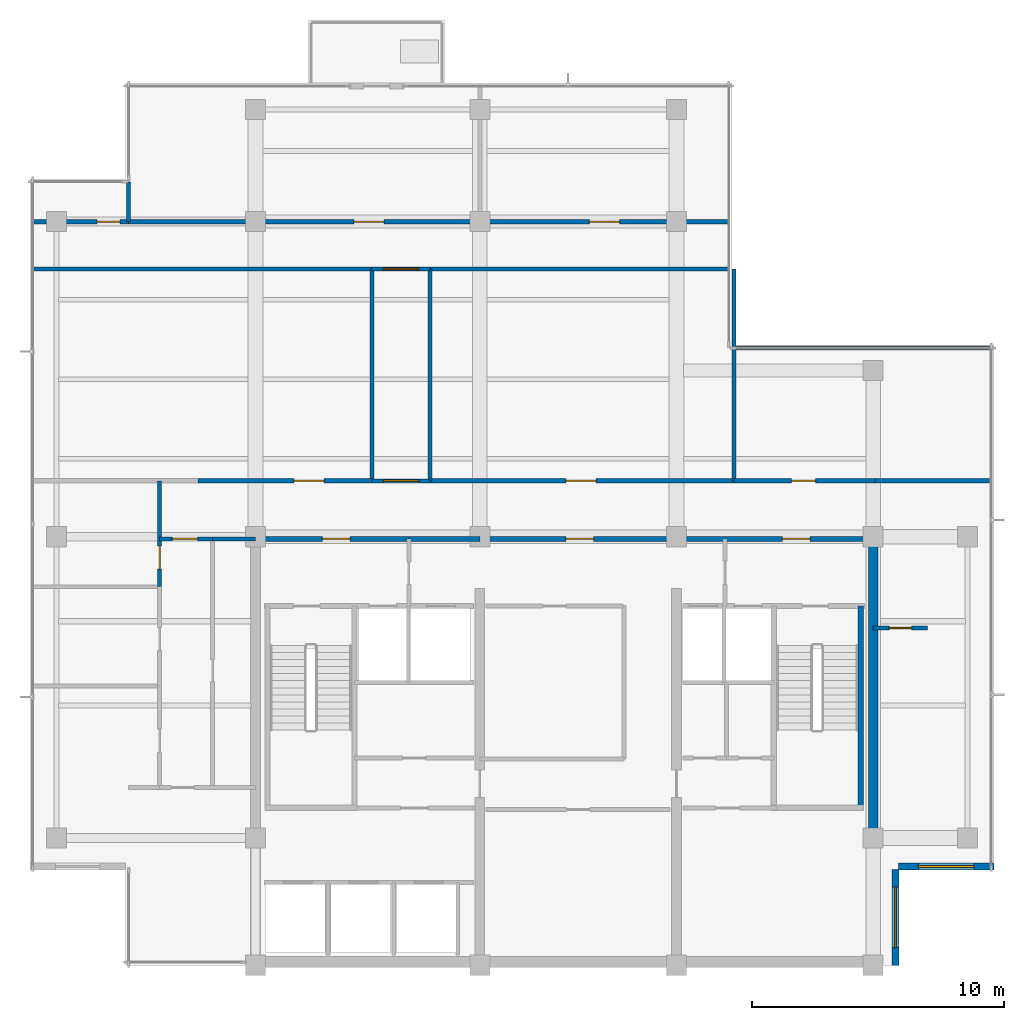
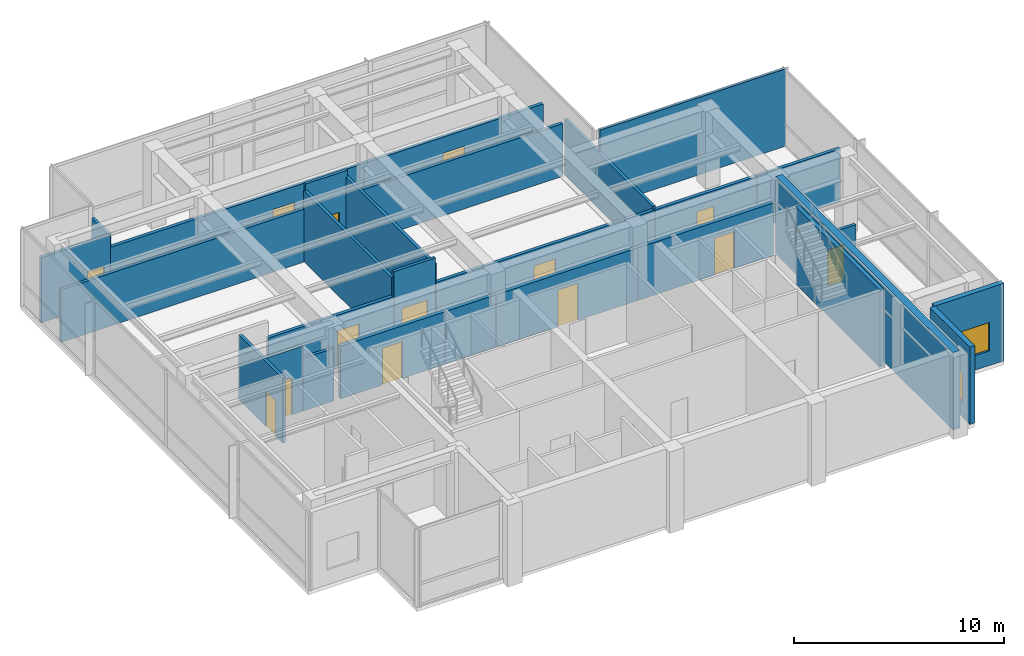
# One storey, part 7 of 11: 28 walls, 14 doors, 2 windows, 16 openings.
"""IFC4 building model written with IfcOpenShell, lengths in metres."""

from ifc_helpers import new_model, si_unit, direction, frame, frame_2d, origin, place, context, subcontext, project, spatial, rectangle, extrude, material, layer, layer_set, type_object, element, fill, save


model = new_model("IFC4")

# Units and contexts
model_context = context("Model", 3, precision=1e-05, world=origin(), true_north=direction((0.0, 1.0)))
body_context = subcontext(model_context, "Body", "Model", "MODEL_VIEW")
ifc_project = project(units=[si_unit("LENGTHUNIT", "METRE"), si_unit("AREAUNIT", "SQUARE_METRE"), si_unit("VOLUMEUNIT", "CUBIC_METRE"), si_unit("PLANEANGLEUNIT", "RADIAN"), si_unit("MASSUNIT", "GRAM", prefix="KILO")], contexts=[model_context])

# Site, building, storey
site_placement = place(None, origin())
site = spatial("IfcSite", under=ifc_project, at=site_placement, CompositionType="ELEMENT")
building_placement = place(site_placement, origin())
building = spatial("IfcBuilding", under=site, at=building_placement, Name="Qalmaran Belvedere Hotel", CompositionType="ELEMENT")
storey_placement = place(building_placement, frame((0.0, 0.0, 293.89990234375)))
storey = spatial("IfcBuildingStorey", under=building, at=storey_placement, Name="L76", CompositionType="ELEMENT", Elevation=293.89990234375)

# Wall
ifc_material_1 = material(Name="Concrete C50/60", Category="concrete")
ifc_layer_1 = layer(ifc_material_1, 0.3798828125, Name="Concrete C50/60")
ifc_layer_set_1 = layer_set([ifc_layer_1], Name="Concrete C50/60")
wall_type_1 = type_object("IfcWallType", Name="WL-CORE-380-C50", PredefinedType="SHEAR", material=ifc_layer_set_1)
wall_1_placement = place(storey_placement, frame((44.800048828125, 3.5, 0.0), z_axis=(0.0, 0.0, 1.0), x_axis=(0.0, 1.0, 0.0)))
element("IfcWall", 1, at=wall_1_placement, inside=storey, type_object=wall_type_1, Name="L76 East Core Shear Wall", PredefinedType="SHEAR", context=body_context, shape_type="SweptSolid", body=[
    extrude(rectangle(XDim=16.89990234375, YDim=0.3798828125, at=frame_2d((8.449951171875, 0.0))), origin(), (0.0, 0.0, 1.0), 4.5),
])

# Wall, opening, window
ifc_material_2 = material(Name="Anodised Bronze Cladding")
ifc_layer_2 = layer(ifc_material_2, 0.280029296875, Name="Anodised Bronze Cladding")
ifc_layer_set_2 = layer_set([ifc_layer_2], Name="Anodised Bronze Cladding")
wall_type_2 = type_object("IfcWallType", Name="WL-EXT-BRNZ-280", PredefinedType="SOLIDWALL", material=ifc_layer_set_2)
wall_2_placement = place(storey_placement, frame((45.679931640625, 3.5, 0.0), z_axis=(0.0, 0.0, 1.0), x_axis=(0.0, 1.0, 0.0)))
wall_2 = element("IfcWall", 2, at=wall_2_placement, inside=storey, type_object=wall_type_2, Name="L76 Corner Notch Wall 1", PredefinedType="SOLIDWALL", context=body_context, shape_type="SweptSolid", body=[
    extrude(rectangle(XDim=3.800048828125, YDim=0.280029296875, at=frame_2d((1.89990234375, 0.0))), origin(), (0.0, 0.0, 1.0), 4.5),
])
opening_1_placement = place(wall_2_placement, frame((0.699951171875, 0.0, 0.85009765625)))
opening_1 = element("IfcOpeningElement", 3, at=opening_1_placement, cuts=wall_2, Name="Opening W-N24", PredefinedType="OPENING", context=body_context, shape_type="SweptSolid", body=[
    extrude(rectangle(XDim=2.39990234375, YDim=1.64990234375, at=frame_2d((1.199951171875, 0.824951171875))), frame((0.0, 0.14990234375, 0.0), z_axis=(0.0, -1.0, 0.0), x_axis=(1.0, 0.0, 0.0)), (0.0, 0.0, 1.0), 0.300048828125),
])
ifc_material_3 = material(Name="Solar-Control Double Glazing", Category="glass")
window_type_1 = type_object("IfcWindowType", Name="WN-NTC-2400X1650", PartitioningType="SINGLE_PANEL", PredefinedType="WINDOW", material=ifc_material_3)
window_1_placement = place(opening_1_placement, origin())
window_1 = element("IfcWindow", 4, at=window_1_placement, inside=storey, type_object=window_type_1, Name="L76 Corner Notch Window 1", OverallHeight=1.64990234375, OverallWidth=2.39990234375, PartitioningType="SINGLE_PANEL", PredefinedType="WINDOW", context=body_context, shape_type="SweptSolid", body=[
    extrude(rectangle(XDim=2.39990234375, YDim=1.64990234375, at=frame_2d((1.199951171875, 0.824951171875))), frame((0.0, 0.030029296875, 0.0), z_axis=(0.0, -1.0, 0.0), x_axis=(1.0, 0.0, 0.0)), (0.0, 0.0, 1.0), 0.06005859375),
])
fill(opening_1, window_1)

wall_3_placement = place(storey_placement, frame((45.800048828125, 7.419921875, 0.0), z_axis=(0.0, 0.0, 1.0), x_axis=(1.0, 0.0, 0.0)))
wall_3 = element("IfcWall", 5, at=wall_3_placement, inside=storey, type_object=wall_type_2, Name="L76 Corner Notch Wall 2", PredefinedType="SOLIDWALL", context=body_context, shape_type="SweptSolid", body=[
    extrude(rectangle(XDim=3.800048828125, YDim=0.280029296875, at=frame_2d((1.89990234375, 0.0))), origin(), (0.0, 0.0, 1.0), 4.5),
])
opening_2_placement = place(wall_3_placement, frame((0.800048828125, 0.0, 0.85009765625)))
opening_2 = element("IfcOpeningElement", 6, at=opening_2_placement, cuts=wall_3, Name="Opening W-N22", PredefinedType="OPENING", context=body_context, shape_type="SweptSolid", body=[
    extrude(rectangle(XDim=2.199951171875, YDim=1.64990234375, at=frame_2d((1.10009765625, 0.824951171875))), frame((0.0, 0.14990234375, 0.0), z_axis=(0.0, -1.0, 0.0), x_axis=(1.0, 0.0, 0.0)), (0.0, 0.0, 1.0), 0.300048828125),
])
window_type_2 = type_object("IfcWindowType", Name="WN-NTC-2200X1650", PartitioningType="SINGLE_PANEL", PredefinedType="WINDOW", material=ifc_material_3)
window_2_placement = place(opening_2_placement, origin())
window_2 = element("IfcWindow", 7, at=window_2_placement, inside=storey, type_object=window_type_2, Name="L76 Corner Notch Window 2", OverallHeight=1.64990234375, OverallWidth=2.199951171875, PartitioningType="SINGLE_PANEL", PredefinedType="WINDOW", context=body_context, shape_type="SweptSolid", body=[
    extrude(rectangle(XDim=2.199951171875, YDim=1.64990234375, at=frame_2d((1.10009765625, 0.824951171875))), frame((0.0, 0.030029296875, 0.0), z_axis=(0.0, -1.0, 0.0), x_axis=(1.0, 0.0, 0.0)), (0.0, 0.0, 1.0), 0.06005859375),
])
fill(opening_2, window_2)

# Wall, opening, door
ifc_material_4 = material(Name="Gypsum Stud Partition")
ifc_layer_3 = layer(ifc_material_4, 0.159912109375, Name="Gypsum Stud Partition")
ifc_layer_set_3 = layer_set([ifc_layer_3], Name="Gypsum Stud Partition")
wall_type_3 = type_object("IfcWallType", Name="WL-INT-160-EI60", PredefinedType="PARTITIONING", material=ifc_layer_set_3)
wall_4_placement = place(storey_placement, frame((16.5, 18.52001953125, 0.0), z_axis=(0.0, 0.0, 1.0), x_axis=(0.0, 1.0, 0.0)))
wall_4 = element("IfcWall", 8, at=wall_4_placement, inside=storey, type_object=wall_type_3, Name="L76 Partition WL-L76-WCC3", PredefinedType="PARTITIONING", context=body_context, shape_type="SweptSolid", body=[
    extrude(rectangle(XDim=4.199951171875, YDim=0.159912109375, at=frame_2d((2.10009765625, 0.0))), origin(), (0.0, 0.0, 1.0), 3.7900390625),
])
opening_3_placement = place(wall_4_placement, frame((0.693359375, 0.0, 0.0)))
opening_3 = element("IfcOpeningElement", 9, at=opening_3_placement, cuts=wall_4, Name="Opening FD60S1", PredefinedType="OPENING", context=body_context, shape_type="SweptSolid", body=[
    extrude(rectangle(XDim=0.919921875, YDim=2.080078125, at=frame_2d((0.4599609375, 1.0400390625))), frame((0.0, 0.08984375, 0.0), z_axis=(0.0, -1.0, 0.0), x_axis=(1.0, 0.0, 0.0)), (0.0, 0.0, 1.0), 0.179931640625),
])
ifc_material_5 = material(Name="Engineered Oak Veneer")
door_type_1 = type_object("IfcDoorType", Name="DR-FD60S-920X2080", OperationType="NOTDEFINED", PredefinedType="DOOR", material=ifc_material_5)
door_1_placement = place(opening_3_placement, origin())
door_1 = element("IfcDoor", 10, at=door_1_placement, inside=storey, type_object=door_type_1, Name="L76 Accessible WC Door", OperationType="SINGLE_SWING_RIGHT", OverallHeight=2.080078125, OverallWidth=0.919921875, PredefinedType="DOOR", context=body_context, shape_type="SweptSolid", body=[
    extrude(rectangle(XDim=0.919921875, YDim=2.080078125, at=frame_2d((0.4599609375, 1.0400390625))), frame((0.0, 0.02490234375, 0.0), z_axis=(0.0, -1.0, 0.0), x_axis=(1.0, 0.0, 0.0)), (0.0, 0.0, 1.0), 0.050048828125),
])
fill(opening_3, door_1)

# Wall
wall_5_placement = place(storey_placement, frame((18.60009765625, 20.419921875, 0.0), z_axis=(0.0, 0.0, 1.0), x_axis=(1.0, 0.0, 0.0)))
element("IfcWall", 11, at=wall_5_placement, inside=storey, type_object=wall_type_3, Name="L76 Partition WL-L76-WCCEN", PredefinedType="PARTITIONING", context=body_context, shape_type="SweptSolid", body=[
    extrude(rectangle(XDim=1.699951171875, YDim=0.159912109375, at=frame_2d((0.85009765625, 0.0))), origin(), (0.0, 0.0, 1.0), 3.065185546875),
])

# Wall, opening, door
wall_6_placement = place(storey_placement, frame((16.5, 20.419921875, 0.0), z_axis=(0.0, 0.0, 1.0), x_axis=(1.0, 0.0, 0.0)))
wall_6 = element("IfcWall", 12, at=wall_6_placement, inside=storey, type_object=wall_type_3, Name="L76 Partition WL-L76-XCRW", PredefinedType="PARTITIONING", context=body_context, shape_type="SweptSolid", body=[
    extrude(rectangle(XDim=2.10009765625, YDim=0.159912109375, at=frame_2d((1.050048828125, 0.0))), origin(), (0.0, 0.0, 1.0), 3.7900390625),
])
opening_4_placement = place(wall_6_placement, frame((0.5, 0.0, 0.0)))
opening_4 = element("IfcOpeningElement", 13, at=opening_4_placement, cuts=wall_6, Name="Opening FD90B", PredefinedType="OPENING", context=body_context, shape_type="SweptSolid", body=[
    extrude(rectangle(XDim=1.0, YDim=2.14990234375, at=frame_2d((0.5, 1.074951171875))), frame((0.0, 0.08984375, 0.0), z_axis=(0.0, -1.0, 0.0), x_axis=(1.0, 0.0, 0.0)), (0.0, 0.0, 1.0), 0.179931640625),
])
ifc_material_6 = material(Name="Steel S355JR", Category="steel")
door_type_2 = type_object("IfcDoorType", Name="DR-FD90B-1000X2150", OperationType="NOTDEFINED", PredefinedType="DOOR", material=ifc_material_6)
door_2_placement = place(opening_4_placement, origin())
door_2 = element("IfcDoor", 14, at=door_2_placement, inside=storey, type_object=door_type_2, Name="L76 Restroom Corridor Door", OperationType="SINGLE_SWING_RIGHT", OverallHeight=2.14990234375, OverallWidth=1.0, PredefinedType="DOOR", context=body_context, shape_type="SweptSolid", body=[
    extrude(rectangle(XDim=1.0, YDim=2.14990234375, at=frame_2d((0.5, 1.074951171875))), frame((0.0, 0.02490234375, 0.0), z_axis=(0.0, -1.0, 0.0), x_axis=(1.0, 0.0, 0.0)), (0.0, 0.0, 1.0), 0.050048828125),
])
fill(opening_4, door_2)

wall_7_placement = place(storey_placement, frame((44.800048828125, 16.8798828125, 0.0), z_axis=(0.0, 0.0, 1.0), x_axis=(1.0, 0.0, 0.0)))
wall_7 = element("IfcWall", 15, at=wall_7_placement, inside=storey, type_object=wall_type_3, Name="L76 Partition WL-L76-ECE", PredefinedType="PARTITIONING", context=body_context, shape_type="SweptSolid", body=[
    extrude(rectangle(XDim=2.14990234375, YDim=0.159912109375, at=frame_2d((1.074951171875, 0.0))), origin(), (0.0, 0.0, 1.0), 3.065185546875),
])
opening_5_placement = place(wall_7_placement, frame((1.52978515625, 0.0, 0.0), z_axis=(0.0, 0.0, 1.0), x_axis=(-1.0, 0.0, 0.0)))
opening_5 = element("IfcOpeningElement", 16, at=opening_5_placement, cuts=wall_7, Name="Opening FD60B", PredefinedType="OPENING", context=body_context, shape_type="SweptSolid", body=[
    extrude(rectangle(XDim=0.8798828125, YDim=2.080078125, at=frame_2d((0.43994140625, 1.0400390625))), frame((0.0, 0.08984375, 0.0), z_axis=(0.0, -1.0, 0.0), x_axis=(1.0, 0.0, 0.0)), (0.0, 0.0, 1.0), 0.179931640625),
])
door_type_3 = type_object("IfcDoorType", Name="DR-FD60B-880X2080", OperationType="NOTDEFINED", PredefinedType="DOOR", material=ifc_material_6)
door_3_placement = place(opening_5_placement, origin())
door_3 = element("IfcDoor", 17, at=door_3_placement, inside=storey, type_object=door_type_3, Name="L76 Panoramic Tea Lounge Door", OperationType="SINGLE_SWING_LEFT", OverallHeight=2.080078125, OverallWidth=0.8798828125, PredefinedType="DOOR", context=body_context, shape_type="SweptSolid", body=[
    extrude(rectangle(XDim=0.8798828125, YDim=2.080078125, at=frame_2d((0.43994140625, 1.0400390625))), frame((0.0, 0.02490234375, 0.0), z_axis=(0.0, -1.0, 0.0), x_axis=(1.0, 0.0, 0.0)), (0.0, 0.0, 1.0), 0.050048828125),
])
fill(opening_5, door_3)

# Walls
wall_8_placement = place(storey_placement, frame((15.27001953125, 33.0, 0.0), z_axis=(0.0, 0.0, 1.0), x_axis=(0.0, 1.0, 0.0)))
element("IfcWall", 18, at=wall_8_placement, inside=storey, type_object=wall_type_3, Name="L76 Partition WL-L76-VNWE", PredefinedType="PARTITIONING", context=body_context, shape_type="SweptSolid", body=[
    extrude(rectangle(XDim=1.580078125, YDim=0.159912109375, at=frame_2d((0.7900390625, 0.0))), origin(), (0.0, 0.0, 1.0), 3.7900390625),
])
for number, where, z_axis, x_axis, name in (
    (19, (24.919921875, 22.719970703125, 0.0), (0.0, 0.0, 1.0), (0.0, 1.0, 0.0), "L76 Partition WL-L76-NPW"),
    (20, (27.219970703125, 22.719970703125, 0.0), (0.0, 0.0, 1.0), (0.0, 1.0, 0.0), "L76 Partition WL-L76-NPE"),
):
    element("IfcWall", number, at=place(storey_placement, frame(where, z_axis=z_axis, x_axis=x_axis)), inside=storey, type_object=wall_type_3, Name=name, PredefinedType="PARTITIONING", context=body_context, shape_type="SweptSolid", body=[
        extrude(rectangle(XDim=8.400146484375, YDim=0.159912109375, at=frame_2d((4.2001953125, 0.0))), origin(), (0.0, 0.0, 1.0), 4.127197265625),
    ])

# Wall, opening, door
wall_9_placement = place(storey_placement, frame((24.919921875, 22.719970703125, 0.0), z_axis=(0.0, 0.0, 1.0), x_axis=(1.0, 0.0, 0.0)))
wall_9 = element("IfcWall", 21, at=wall_9_placement, inside=storey, type_object=wall_type_3, Name="L76 Partition WL-L76-XNPS", PredefinedType="PARTITIONING", context=body_context, shape_type="SweptSolid", body=[
    extrude(rectangle(XDim=2.300048828125, YDim=0.159912109375, at=frame_2d((1.14990234375, 0.0))), origin(), (0.0, 0.0, 1.0), 4.5),
])
opening_6_placement = place(wall_9_placement, frame((0.449951171875, 0.0, 0.0)))
opening_6 = element("IfcOpeningElement", 22, at=opening_6_placement, cuts=wall_9, Name="Opening FD90D", PredefinedType="OPENING", context=body_context, shape_type="SweptSolid", body=[
    extrude(rectangle(XDim=1.39990234375, YDim=2.199951171875, at=frame_2d((0.699951171875, 1.10009765625))), frame((0.0, 0.08984375, 0.0), z_axis=(0.0, -1.0, 0.0), x_axis=(1.0, 0.0, 0.0)), (0.0, 0.0, 1.0), 0.179931640625),
])
door_type_4 = type_object("IfcDoorType", Name="DR-FD90D-1400X2200", OperationType="NOTDEFINED", PredefinedType="DOOR", material=ifc_material_6)
door_4_placement = place(opening_6_placement, origin())
door_4 = element("IfcDoor", 23, at=door_4_placement, inside=storey, type_object=door_type_4, Name="L76 Promenade South Door", OperationType="DOUBLE_DOOR_SINGLE_SWING", OverallHeight=2.199951171875, OverallWidth=1.39990234375, PredefinedType="DOOR", context=body_context, shape_type="SweptSolid", body=[
    extrude(rectangle(XDim=1.39990234375, YDim=2.199951171875, at=frame_2d((0.699951171875, 1.10009765625))), frame((0.0, 0.02490234375, 0.0), z_axis=(0.0, -1.0, 0.0), x_axis=(1.0, 0.0, 0.0)), (0.0, 0.0, 1.0), 0.050048828125),
])
fill(opening_6, door_4)

wall_10_placement = place(storey_placement, frame((24.919921875, 31.1201171875, 0.0), z_axis=(0.0, 0.0, 1.0), x_axis=(1.0, 0.0, 0.0)))
wall_10 = element("IfcWall", 24, at=wall_10_placement, inside=storey, type_object=wall_type_3, Name="L76 Partition WL-L76-XNPN", PredefinedType="PARTITIONING", context=body_context, shape_type="SweptSolid", body=[
    extrude(rectangle(XDim=2.300048828125, YDim=0.159912109375, at=frame_2d((1.14990234375, 0.0))), origin(), (0.0, 0.0, 1.0), 4.5),
])
opening_7_placement = place(wall_10_placement, frame((0.449951171875, 0.0, 0.0)))
opening_7 = element("IfcOpeningElement", 25, at=opening_7_placement, cuts=wall_10, Name="Opening FD90D", PredefinedType="OPENING", context=body_context, shape_type="SweptSolid", body=[
    extrude(rectangle(XDim=1.39990234375, YDim=2.199951171875, at=frame_2d((0.699951171875, 1.10009765625))), frame((0.0, 0.08984375, 0.0), z_axis=(0.0, -1.0, 0.0), x_axis=(1.0, 0.0, 0.0)), (0.0, 0.0, 1.0), 0.179931640625),
])
door_5_placement = place(opening_7_placement, origin())
door_5 = element("IfcDoor", 26, at=door_5_placement, inside=storey, type_object=door_type_4, Name="L76 Promenade North Door", OperationType="DOUBLE_DOOR_SINGLE_SWING", OverallHeight=2.199951171875, OverallWidth=1.39990234375, PredefinedType="DOOR", context=body_context, shape_type="SweptSolid", body=[
    extrude(rectangle(XDim=1.39990234375, YDim=2.199951171875, at=frame_2d((0.699951171875, 1.10009765625))), frame((0.0, 0.02490234375, 0.0), z_axis=(0.0, -1.0, 0.0), x_axis=(1.0, 0.0, 0.0)), (0.0, 0.0, 1.0), 0.050048828125),
])
fill(opening_7, door_5)

# Walls
wall_11_placement = place(storey_placement, frame((11.469970703125, 31.1201171875, 0.0), z_axis=(0.0, 0.0, 1.0), x_axis=(1.0, 0.0, 0.0)))
element("IfcWall", 27, at=wall_11_placement, inside=storey, type_object=wall_type_3, Name="L76 Partition WL-L76-NGS1", PredefinedType="PARTITIONING", context=body_context, shape_type="SweptSolid", body=[
    extrude(rectangle(XDim=13.449951171875, YDim=0.159912109375, at=frame_2d((6.72509765625, 0.0))), origin(), (0.0, 0.0, 1.0), 3.065185546875),
])
wall_12_placement = place(storey_placement, frame((27.219970703125, 31.1201171875, 0.0), z_axis=(0.0, 0.0, 1.0), x_axis=(1.0, 0.0, 0.0)))
element("IfcWall", 28, at=wall_12_placement, inside=storey, type_object=wall_type_3, Name="L76 Partition WL-L76-NGS2", PredefinedType="PARTITIONING", context=body_context, shape_type="SweptSolid", body=[
    extrude(rectangle(XDim=11.860107421875, YDim=0.159912109375, at=frame_2d((5.93017578125, 0.0))), origin(), (0.0, 0.0, 1.0), 3.065185546875),
])
wall_13_placement = place(storey_placement, frame((39.280029296875, 27.97998046875, 0.0), z_axis=(0.0, 0.0, 1.0), x_axis=(1.0, 0.0, 0.0)))
element("IfcWall", 29, at=wall_13_placement, inside=storey, type_object=wall_type_3, Name="L76 Partition WL-L76-SOMN", PredefinedType="PARTITIONING", context=body_context, shape_type="SweptSolid", body=[
    extrude(rectangle(XDim=10.199951171875, YDim=0.159912109375, at=frame_2d((5.10009765625, 0.0))), origin(), (0.0, 0.0, 1.0), 4.5),
])
wall_14_placement = place(storey_placement, frame((39.280029296875, 22.719970703125, 0.0), z_axis=(0.0, 0.0, 1.0), x_axis=(0.0, 1.0, 0.0)))
element("IfcWall", 30, at=wall_14_placement, inside=storey, type_object=wall_type_3, Name="L76 Partition WL-L76-MCV", PredefinedType="PARTITIONING", context=body_context, shape_type="SweptSolid", body=[
    extrude(rectangle(XDim=8.400146484375, YDim=0.159912109375, at=frame_2d((4.2001953125, 0.0))), origin(), (0.0, 0.0, 1.0), 3.235107421875),
])

# Wall, opening, door
ifc_layer_4 = layer(ifc_material_4, 0.179931640625, Name="Gypsum Stud Partition")
ifc_layer_set_4 = layer_set([ifc_layer_4], Name="Gypsum Stud Partition")
wall_type_4 = type_object("IfcWallType", Name="WL-INT-180-EI60", PredefinedType="PARTITIONING", material=ifc_layer_set_4)
wall_15_placement = place(storey_placement, frame((11.469970703125, 33.0, 0.0), z_axis=(0.0, 0.0, 1.0), x_axis=(1.0, 0.0, 0.0)))
wall_15 = element("IfcWall", 31, at=wall_15_placement, inside=storey, type_object=wall_type_4, Name="L76 Partition WL-L76-VNWS", PredefinedType="PARTITIONING", context=body_context, shape_type="SweptSolid", body=[
    extrude(rectangle(XDim=3.800048828125, YDim=0.179931640625, at=frame_2d((1.89990234375, 0.0))), origin(), (0.0, 0.0, 1.0), 3.7900390625),
])
opening_8_placement = place(wall_15_placement, frame((2.543701171875, 0.0, 0.0)))
opening_8 = element("IfcOpeningElement", 32, at=opening_8_placement, cuts=wall_15, Name="Opening FD60S1", PredefinedType="OPENING", context=body_context, shape_type="SweptSolid", body=[
    extrude(rectangle(XDim=0.919921875, YDim=2.080078125, at=frame_2d((0.4599609375, 1.0400390625))), frame((0.0, 0.10009765625, 0.0), z_axis=(0.0, -1.0, 0.0), x_axis=(1.0, 0.0, 0.0)), (0.0, 0.0, 1.0), 0.199951171875),
])
door_6_placement = place(opening_8_placement, origin())
door_6 = element("IfcDoor", 33, at=door_6_placement, inside=storey, type_object=door_type_1, Name="L76 NW Sky Salon Door", OperationType="SINGLE_SWING_RIGHT", OverallHeight=2.080078125, OverallWidth=0.919921875, PredefinedType="DOOR", context=body_context, shape_type="SweptSolid", body=[
    extrude(rectangle(XDim=0.919921875, YDim=2.080078125, at=frame_2d((0.4599609375, 1.0400390625))), frame((0.0, 0.02490234375, 0.0), z_axis=(0.0, -1.0, 0.0), x_axis=(1.0, 0.0, 0.0)), (0.0, 0.0, 1.0), 0.050048828125),
])
fill(opening_8, door_6)

wall_16_placement = place(storey_placement, frame((18.02001953125, 22.719970703125, 0.0), z_axis=(0.0, 0.0, 1.0), x_axis=(1.0, 0.0, 0.0)))
wall_16 = element("IfcWall", 34, at=wall_16_placement, inside=storey, type_object=wall_type_4, Name="L76 Partition WL-L76-MCS1", PredefinedType="PARTITIONING", context=body_context, shape_type="SweptSolid", body=[
    extrude(rectangle(XDim=6.89990234375, YDim=0.179931640625, at=frame_2d((3.449951171875, 0.0))), origin(), (0.0, 0.0, 1.0), 3.065185546875),
])
opening_9_placement = place(wall_16_placement, frame((3.800048828125, 0.0, 0.0)))
opening_9 = element("IfcOpeningElement", 35, at=opening_9_placement, cuts=wall_16, Name="Opening FD60P", PredefinedType="OPENING", context=body_context, shape_type="SweptSolid", body=[
    extrude(rectangle(XDim=1.199951171875, YDim=2.139892578125, at=frame_2d((0.60009765625, 1.06982421875))), frame((0.0, 0.10009765625, 0.0), z_axis=(0.0, -1.0, 0.0), x_axis=(1.0, 0.0, 0.0)), (0.0, 0.0, 1.0), 0.199951171875),
])
door_type_5 = type_object("IfcDoorType", Name="DR-FD60P-1200X2140", OperationType="NOTDEFINED", PredefinedType="DOOR", material=ifc_material_5)
door_7_placement = place(opening_9_placement, origin())
door_7 = element("IfcDoor", 36, at=door_7_placement, inside=storey, type_object=door_type_5, Name="L76 Private Lookout Lounge Door", OperationType="DOUBLE_DOOR_SINGLE_SWING", OverallHeight=2.139892578125, OverallWidth=1.199951171875, PredefinedType="DOOR", context=body_context, shape_type="SweptSolid", body=[
    extrude(rectangle(XDim=1.199951171875, YDim=2.139892578125, at=frame_2d((0.60009765625, 1.06982421875))), frame((0.0, 0.02490234375, 0.0), z_axis=(0.0, -1.0, 0.0), x_axis=(1.0, 0.0, 0.0)), (0.0, 0.0, 1.0), 0.050048828125),
])
fill(opening_9, door_7)

wall_17_placement = place(storey_placement, frame((27.219970703125, 22.719970703125, 0.0), z_axis=(0.0, 0.0, 1.0), x_axis=(1.0, 0.0, 0.0)))
wall_17 = element("IfcWall", 37, at=wall_17_placement, inside=storey, type_object=wall_type_4, Name="L76 Partition WL-L76-MCS2A", PredefinedType="PARTITIONING", context=body_context, shape_type="SweptSolid", body=[
    extrude(rectangle(XDim=12.06005859375, YDim=0.179931640625, at=frame_2d((6.030029296875, 0.0))), origin(), (0.0, 0.0, 1.0), 3.065185546875),
])
opening_10_placement = place(wall_17_placement, frame((5.389892578125, 0.0, 0.0)))
opening_10 = element("IfcOpeningElement", 38, at=opening_10_placement, cuts=wall_17, Name="Opening FD60P", PredefinedType="OPENING", context=body_context, shape_type="SweptSolid", body=[
    extrude(rectangle(XDim=1.199951171875, YDim=2.139892578125, at=frame_2d((0.60009765625, 1.06982421875))), frame((0.0, 0.10009765625, 0.0), z_axis=(0.0, -1.0, 0.0), x_axis=(1.0, 0.0, 0.0)), (0.0, 0.0, 1.0), 0.199951171875),
])
door_8_placement = place(opening_10_placement, origin())
door_8 = element("IfcDoor", 39, at=door_8_placement, inside=storey, type_object=door_type_5, Name="L76 Observatory Catering Pantry Door", OperationType="DOUBLE_DOOR_SINGLE_SWING", OverallHeight=2.139892578125, OverallWidth=1.199951171875, PredefinedType="DOOR", context=body_context, shape_type="SweptSolid", body=[
    extrude(rectangle(XDim=1.199951171875, YDim=2.139892578125, at=frame_2d((0.60009765625, 1.06982421875))), frame((0.0, 0.02490234375, 0.0), z_axis=(0.0, -1.0, 0.0), x_axis=(1.0, 0.0, 0.0)), (0.0, 0.0, 1.0), 0.050048828125),
])
fill(opening_10, door_8)

wall_18_placement = place(storey_placement, frame((39.280029296875, 22.719970703125, 0.0), z_axis=(0.0, 0.0, 1.0), x_axis=(1.0, 0.0, 0.0)))
wall_18 = element("IfcWall", 40, at=wall_18_placement, inside=storey, type_object=wall_type_4, Name="L76 Partition WL-L76-MCS2B", PredefinedType="PARTITIONING", context=body_context, shape_type="SweptSolid", body=[
    extrude(rectangle(XDim=5.599853515625, YDim=0.179931640625, at=frame_2d((2.7998046875, 0.0))), origin(), (0.0, 0.0, 1.0), 3.065185546875),
])
opening_11_placement = place(wall_18_placement, frame((2.2900390625, 0.0, 0.0)))
opening_11 = element("IfcOpeningElement", 41, at=opening_11_placement, cuts=wall_18, Name="Opening FD60", PredefinedType="OPENING", context=body_context, shape_type="SweptSolid", body=[
    extrude(rectangle(XDim=0.949951171875, YDim=2.14990234375, at=frame_2d((0.47509765625, 1.074951171875))), frame((0.0, 0.10009765625, 0.0), z_axis=(0.0, -1.0, 0.0), x_axis=(1.0, 0.0, 0.0)), (0.0, 0.0, 1.0), 0.199951171875),
])
door_type_6 = type_object("IfcDoorType", Name="DR-FD60-950X2150", OperationType="NOTDEFINED", PredefinedType="DOOR", material=ifc_material_5)
door_9_placement = place(opening_11_placement, origin())
door_9 = element("IfcDoor", 42, at=door_9_placement, inside=storey, type_object=door_type_6, Name="L76 East Lounge Door", OperationType="SINGLE_SWING_LEFT", OverallHeight=2.14990234375, OverallWidth=0.949951171875, PredefinedType="DOOR", context=body_context, shape_type="SweptSolid", body=[
    extrude(rectangle(XDim=0.949951171875, YDim=2.14990234375, at=frame_2d((0.47509765625, 1.074951171875))), frame((0.0, 0.02490234375, 0.0), z_axis=(0.0, -1.0, 0.0), x_axis=(1.0, 0.0, 0.0)), (0.0, 0.0, 1.0), 0.050048828125),
])
fill(opening_11, door_9)

# Wall
wall_19_placement = place(storey_placement, frame((44.8798828125, 22.719970703125, 0.0), z_axis=(0.0, 0.0, 1.0), x_axis=(1.0, 0.0, 0.0)))
element("IfcWall", 43, at=wall_19_placement, inside=storey, type_object=wall_type_4, Name="L76 Partition WL-L76-MCS2C", PredefinedType="PARTITIONING", context=body_context, shape_type="SweptSolid", body=[
    extrude(rectangle(XDim=4.60009765625, YDim=0.179931640625, at=frame_2d((2.300048828125, 0.0))), origin(), (0.0, 0.0, 1.0), 3.065185546875),
])

# Wall, opening, door
wall_20_placement = place(storey_placement, frame((15.27001953125, 33.0, 0.0), z_axis=(0.0, 0.0, 1.0), x_axis=(1.0, 0.0, 0.0)))
wall_20 = element("IfcWall", 44, at=wall_20_placement, inside=storey, type_object=wall_type_4, Name="L76 Partition WL-L76-NF33D1", PredefinedType="PARTITIONING", context=body_context, shape_type="SweptSolid", body=[
    extrude(rectangle(XDim=13.929931640625, YDim=0.179931640625, at=frame_2d((6.96484375, 0.0))), origin(), (0.0, 0.0, 1.0), 3.065185546875),
])
opening_12_placement = place(wall_20_placement, frame((8.930419921875, 0.0, 0.0)))
opening_12 = element("IfcOpeningElement", 45, at=opening_12_placement, cuts=wall_20, Name="Opening FD60P", PredefinedType="OPENING", context=body_context, shape_type="SweptSolid", body=[
    extrude(rectangle(XDim=1.199951171875, YDim=2.139892578125, at=frame_2d((0.60009765625, 1.06982421875))), frame((0.0, 0.10009765625, 0.0), z_axis=(0.0, -1.0, 0.0), x_axis=(1.0, 0.0, 0.0)), (0.0, 0.0, 1.0), 0.199951171875),
])
door_10_placement = place(opening_12_placement, origin())
door_10 = element("IfcDoor", 46, at=door_10_placement, inside=storey, type_object=door_type_5, Name="L76 VIP Belvedere Observatory Door", OperationType="DOUBLE_DOOR_SINGLE_SWING", OverallHeight=2.139892578125, OverallWidth=1.199951171875, PredefinedType="DOOR", context=body_context, shape_type="SweptSolid", body=[
    extrude(rectangle(XDim=1.199951171875, YDim=2.139892578125, at=frame_2d((0.60009765625, 1.06982421875))), frame((0.0, 0.02490234375, 0.0), z_axis=(0.0, -1.0, 0.0), x_axis=(1.0, 0.0, 0.0)), (0.0, 0.0, 1.0), 0.050048828125),
])
fill(opening_12, door_10)

wall_21_placement = place(storey_placement, frame((29.199951171875, 33.0, 0.0), z_axis=(0.0, 0.0, 1.0), x_axis=(1.0, 0.0, 0.0)))
wall_21 = element("IfcWall", 47, at=wall_21_placement, inside=storey, type_object=wall_type_4, Name="L76 Partition WL-L76-NF33D2", PredefinedType="PARTITIONING", context=body_context, shape_type="SweptSolid", body=[
    extrude(rectangle(XDim=9.880126953125, YDim=0.179931640625, at=frame_2d((4.93994140625, 0.0))), origin(), (0.0, 0.0, 1.0), 3.065185546875),
])
opening_13_placement = place(wall_21_placement, frame((4.340087890625, 0.0, 0.0)))
opening_13 = element("IfcOpeningElement", 48, at=opening_13_placement, cuts=wall_21, Name="Opening FD60P", PredefinedType="OPENING", context=body_context, shape_type="SweptSolid", body=[
    extrude(rectangle(XDim=1.199951171875, YDim=2.139892578125, at=frame_2d((0.60009765625, 1.06982421875))), frame((0.0, 0.10009765625, 0.0), z_axis=(0.0, -1.0, 0.0), x_axis=(1.0, 0.0, 0.0)), (0.0, 0.0, 1.0), 0.199951171875),
])
door_11_placement = place(opening_13_placement, origin())
door_11 = element("IfcDoor", 49, at=door_11_placement, inside=storey, type_object=door_type_5, Name="L76 Telescope Lookout Gallery Door", OperationType="DOUBLE_DOOR_SINGLE_SWING", OverallHeight=2.139892578125, OverallWidth=1.199951171875, PredefinedType="DOOR", context=body_context, shape_type="SweptSolid", body=[
    extrude(rectangle(XDim=1.199951171875, YDim=2.139892578125, at=frame_2d((0.60009765625, 1.06982421875))), frame((0.0, 0.02490234375, 0.0), z_axis=(0.0, -1.0, 0.0), x_axis=(1.0, 0.0, 0.0)), (0.0, 0.0, 1.0), 0.050048828125),
])
fill(opening_13, door_11)

ifc_material_7 = material(Name="Concrete C30/37 Blockwork", Category="masonry")
ifc_layer_5 = layer(ifc_material_7, 0.199951171875, Name="Concrete C30/37 Blockwork")
ifc_layer_set_5 = layer_set([ifc_layer_5], Name="Concrete C30/37 Blockwork")
wall_type_5 = type_object("IfcWallType", Name="WL-INT-200-EI120", PredefinedType="PARTITIONING", material=ifc_layer_set_5)
wall_22_placement = place(storey_placement, frame((20.64990234375, 20.419921875, 0.0), z_axis=(0.0, 0.0, 1.0), x_axis=(1.0, 0.0, 0.0)))
wall_22 = element("IfcWall", 50, at=wall_22_placement, inside=storey, type_object=wall_type_5, Name="L76 Partition WL-CN1A-L76", PredefinedType="PARTITIONING", context=body_context, shape_type="SweptSolid", body=[
    extrude(rectangle(XDim=5.72998046875, YDim=0.199951171875, at=frame_2d((2.864990234375, 0.0))), origin(), (0.0, 0.0, 1.0), 3.065185546875),
])
opening_14_placement = place(wall_22_placement, frame((2.300048828125, 0.0, 0.0)))
opening_14 = element("IfcOpeningElement", 51, at=opening_14_placement, cuts=wall_22, Name="Opening FD90", PredefinedType="OPENING", context=body_context, shape_type="SweptSolid", body=[
    extrude(rectangle(XDim=1.10009765625, YDim=2.14990234375, at=frame_2d((0.550048828125, 1.074951171875))), frame((0.0, 0.10986328125, 0.0), z_axis=(0.0, -1.0, 0.0), x_axis=(1.0, 0.0, 0.0)), (0.0, 0.0, 1.0), 0.219970703125),
])
door_type_7 = type_object("IfcDoorType", Name="DR-FD90-1100X2150", OperationType="NOTDEFINED", PredefinedType="DOOR", material=ifc_material_6)
door_12_placement = place(opening_14_placement, origin())
door_12 = element("IfcDoor", 52, at=door_12_placement, inside=storey, type_object=door_type_7, Name="L76 FF1 Lobby Corridor Door", OperationType="SINGLE_SWING_LEFT", OverallHeight=2.14990234375, OverallWidth=1.10009765625, PredefinedType="DOOR", context=body_context, shape_type="SweptSolid", body=[
    extrude(rectangle(XDim=1.10009765625, YDim=2.14990234375, at=frame_2d((0.550048828125, 1.074951171875))), frame((0.0, 0.02490234375, 0.0), z_axis=(0.0, -1.0, 0.0), x_axis=(1.0, 0.0, 0.0)), (0.0, 0.0, 1.0), 0.050048828125),
])
fill(opening_14, door_12)

# Wall
wall_23_placement = place(storey_placement, frame((26.3798828125, 20.419921875, 0.0), z_axis=(0.0, 0.0, 1.0), x_axis=(1.0, 0.0, 0.0)))
element("IfcWall", 53, at=wall_23_placement, inside=storey, type_object=wall_type_5, Name="L76 Partition WL-CN1B-L76", PredefinedType="PARTITIONING", context=body_context, shape_type="SweptSolid", body=[
    extrude(rectangle(XDim=2.820068359375, YDim=0.199951171875, at=frame_2d((1.41015625, 0.0))), origin(), (0.0, 0.0, 1.0), 3.065185546875),
])

# Wall, opening, door
wall_24_placement = place(storey_placement, frame((29.199951171875, 20.419921875, 0.0), z_axis=(0.0, 0.0, 1.0), x_axis=(1.0, 0.0, 0.0)))
wall_24 = element("IfcWall", 54, at=wall_24_placement, inside=storey, type_object=wall_type_5, Name="L76 Partition WL-CN2-L76", PredefinedType="PARTITIONING", context=body_context, shape_type="SweptSolid", body=[
    extrude(rectangle(XDim=7.800048828125, YDim=0.199951171875, at=frame_2d((3.89990234375, 0.0))), origin(), (0.0, 0.0, 1.0), 3.065185546875),
])
opening_15_placement = place(wall_24_placement, frame((3.4091796875, 0.0, 0.0)))
opening_15 = element("IfcOpeningElement", 55, at=opening_15_placement, cuts=wall_24, Name="Opening FD90", PredefinedType="OPENING", context=body_context, shape_type="SweptSolid", body=[
    extrude(rectangle(XDim=1.10009765625, YDim=2.14990234375, at=frame_2d((0.550048828125, 1.074951171875))), frame((0.0, 0.10986328125, 0.0), z_axis=(0.0, -1.0, 0.0), x_axis=(1.0, 0.0, 0.0)), (0.0, 0.0, 1.0), 0.219970703125),
])
door_13_placement = place(opening_15_placement, origin())
door_13 = element("IfcDoor", 56, at=door_13_placement, inside=storey, type_object=door_type_7, Name="L76 Central Lift Lobby Door", OperationType="SINGLE_SWING_RIGHT", OverallHeight=2.14990234375, OverallWidth=1.10009765625, PredefinedType="DOOR", context=body_context, shape_type="SweptSolid", body=[
    extrude(rectangle(XDim=1.10009765625, YDim=2.14990234375, at=frame_2d((0.550048828125, 1.074951171875))), frame((0.0, 0.02490234375, 0.0), z_axis=(0.0, -1.0, 0.0), x_axis=(1.0, 0.0, 0.0)), (0.0, 0.0, 1.0), 0.050048828125),
])
fill(opening_15, door_13)

wall_25_placement = place(storey_placement, frame((37.0, 20.419921875, 0.0), z_axis=(0.0, 0.0, 1.0), x_axis=(1.0, 0.0, 0.0)))
wall_25 = element("IfcWall", 57, at=wall_25_placement, inside=storey, type_object=wall_type_5, Name="L76 Partition WL-CN3-L76", PredefinedType="PARTITIONING", context=body_context, shape_type="SweptSolid", body=[
    extrude(rectangle(XDim=7.449951171875, YDim=0.199951171875, at=frame_2d((3.72509765625, 0.0))), origin(), (0.0, 0.0, 1.0), 3.065185546875),
])
opening_16_placement = place(wall_25_placement, frame((4.199951171875, 0.0, 0.0)))
opening_16 = element("IfcOpeningElement", 58, at=opening_16_placement, cuts=wall_25, Name="Opening FD90", PredefinedType="OPENING", context=body_context, shape_type="SweptSolid", body=[
    extrude(rectangle(XDim=1.10009765625, YDim=2.14990234375, at=frame_2d((0.550048828125, 1.074951171875))), frame((0.0, 0.10986328125, 0.0), z_axis=(0.0, -1.0, 0.0), x_axis=(1.0, 0.0, 0.0)), (0.0, 0.0, 1.0), 0.219970703125),
])
door_14_placement = place(opening_16_placement, origin())
door_14 = element("IfcDoor", 59, at=door_14_placement, inside=storey, type_object=door_type_7, Name="L76 FF2 Lobby Corridor Door", OperationType="SINGLE_SWING_LEFT", OverallHeight=2.14990234375, OverallWidth=1.10009765625, PredefinedType="DOOR", context=body_context, shape_type="SweptSolid", body=[
    extrude(rectangle(XDim=1.10009765625, YDim=2.14990234375, at=frame_2d((0.550048828125, 1.074951171875))), frame((0.0, 0.02490234375, 0.0), z_axis=(0.0, -1.0, 0.0), x_axis=(1.0, 0.0, 0.0)), (0.0, 0.0, 1.0), 0.050048828125),
])
fill(opening_16, door_14)

# Wall
ifc_layer_6 = layer(ifc_material_1, 0.2099609375, Name="Concrete C50/60")
ifc_layer_set_6 = layer_set([ifc_layer_6], Name="Concrete C50/60")
wall_type_6 = type_object("IfcWallType", Name="WL-STAIR-210-C50", PredefinedType="SHEAR", material=ifc_layer_set_6)
wall_26_placement = place(storey_placement, frame((44.304931640625, 9.7451171875, 0.0), z_axis=(0.0, 0.0, 1.0), x_axis=(0.0, 1.0, 0.0)))
element("IfcWall", 60, at=wall_26_placement, inside=storey, type_object=wall_type_6, Name="L76 Stair ST-2 East Bearing Wall", PredefinedType="SHEAR", context=body_context, shape_type="SweptSolid", body=[
    extrude(rectangle(XDim=8.009765625, YDim=0.2099609375, at=frame_2d((4.0048828125, 0.0))), origin(), (0.0, 0.0, 1.0), 4.5),
])

save(model, "model.ifc")
